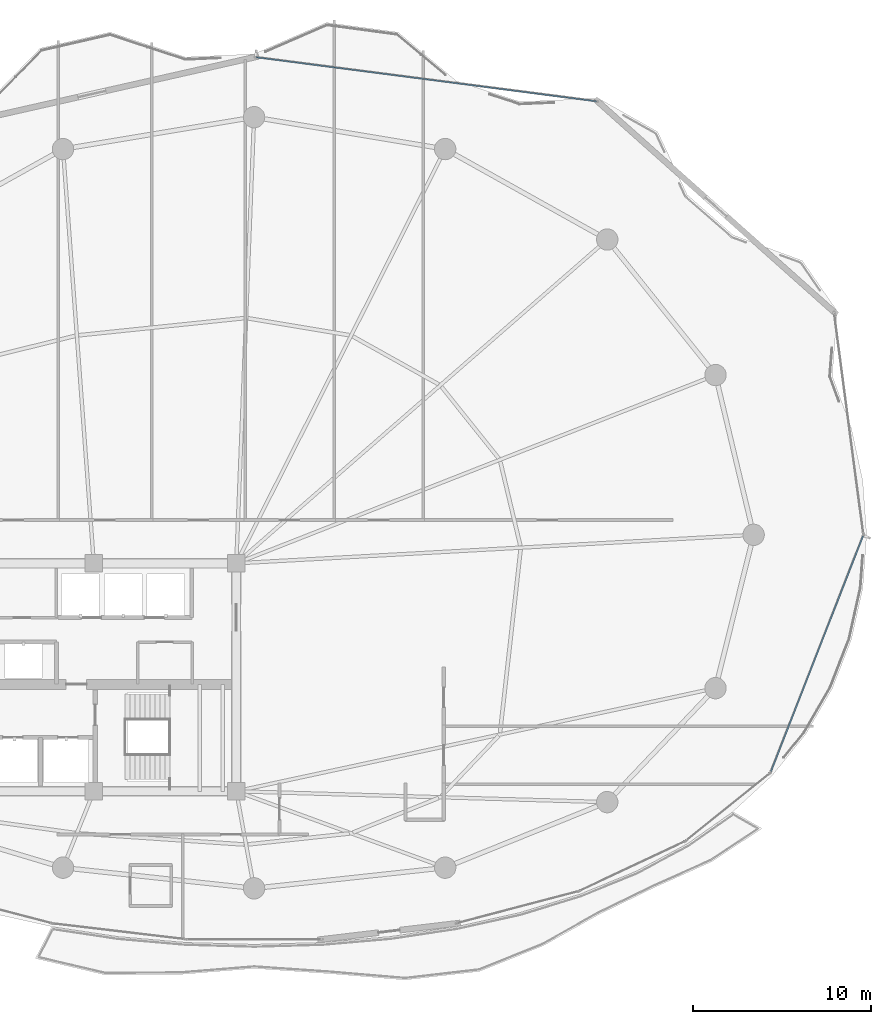
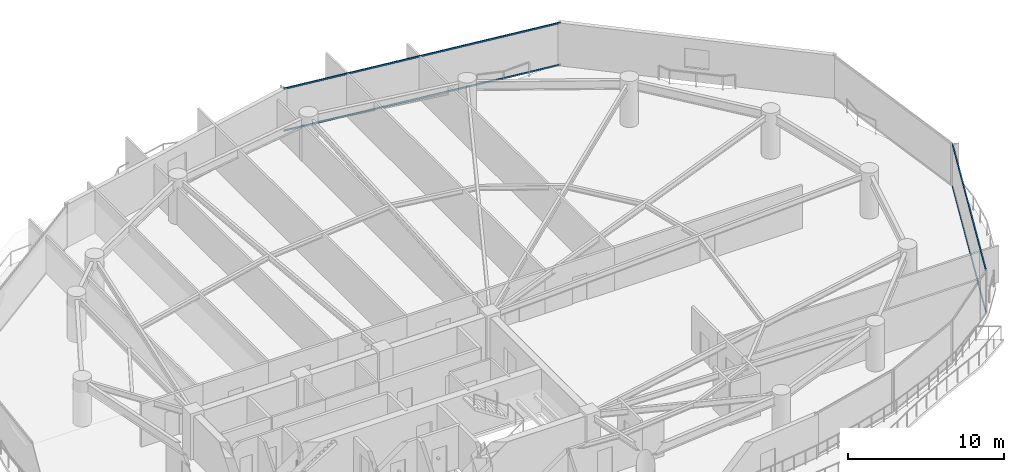
# One storey, part 23 of 33: 4 members, 2 elements without a shape of their own.
"""IFC4 building model written with IfcOpenShell, lengths in metres."""

from ifc_helpers import new_model, si_unit, direction, frame, origin, origin_2d, place, context, subcontext, project, spatial, hollow_rectangle, extrude, material, layer, layer_set, material_profile, profile_set, type_object, element, aggregate, save


model = new_model("IFC4")

# Units and contexts
model_context = context("Model", 3, precision=1e-05, world=origin(), true_north=direction((0.0, 1.0)))
body_context = subcontext(model_context, "Body", "Model", "MODEL_VIEW")
ifc_project = project(units=[si_unit("LENGTHUNIT", "METRE"), si_unit("AREAUNIT", "SQUARE_METRE"), si_unit("VOLUMEUNIT", "CUBIC_METRE"), si_unit("PLANEANGLEUNIT", "RADIAN"), si_unit("MASSUNIT", "GRAM", prefix="KILO")], contexts=[model_context])

# Site, building, storey
site_placement = place(None, origin())
site = spatial("IfcSite", under=ifc_project, at=site_placement, CompositionType="ELEMENT")
building_placement = place(site_placement, origin())
building = spatial("IfcBuilding", under=site, at=building_placement, Name="Kazevale Care Tower and Concert Hall", CompositionType="ELEMENT")
storey_placement = place(building_placement, frame((0.0, 0.0, 149.39990234375)))
storey = spatial("IfcBuildingStorey", under=building, at=storey_placement, Name="L39", CompositionType="ELEMENT", Elevation=149.39990234375)

# Curtain wall, members
ifc_material_1 = material(Name="Aluminium 6063-T6 and Low-E Glass", Category="aluminium")
ifc_layer_1 = layer(ifc_material_1, 0.179931640625)
ifc_layer_set_1 = layer_set([ifc_layer_1], Name="Aluminium 6063-T6 and Low-E Glass")
curtain_wall_type_1 = type_object("IfcCurtainWallType", Name="Convex Recessed Sunroom Curtain Wall CW-3", PredefinedType="NOTDEFINED", material=ifc_layer_set_1)
curtain_wall_1_placement = place(storey_placement, origin())
curtain_wall_1 = element("IfcCurtainWall", 1, at=curtain_wall_1_placement, inside=storey, type_object=curtain_wall_type_1, Name="cw:L39:f16", PredefinedType="NOTDEFINED")
ifc_material_2 = material(Name="Aluminium 6063-T6", Category="aluminium")
ifc_material_profile_1 = material_profile(ifc_material_2, hollow_rectangle(XDim=0.074951171875, YDim=0.1201171875, WallThickness=0.00390625, at=origin_2d()), Name="ALU75x120x4")
ifc_profile_set_1 = profile_set([ifc_material_profile_1], Name="Aluminium 6063-T6")
member_type_1 = type_object("IfcMemberType", Name="CW-3 Transom ALU75x120x4", PredefinedType="USERDEFINED", material=ifc_profile_set_1)
member_1_placement = place(storey_placement, frame((45.115478515625, 64.812255859375, 0.03759765625), z_axis=(0.991735891754, -0.128296223669, 0.0), x_axis=(0.128296223669, 0.991735891754, 0.0)))
member_1 = element("IfcMember", 2, at=member_1_placement, type_object=member_type_1, Name="CW-3 transom 1.1", ObjectType="TRANSOM", PredefinedType="USERDEFINED", context=body_context, shape_type="SweptSolid", body=[
    extrude(hollow_rectangle(XDim=0.074951171875, YDim=0.1201171875, WallThickness=0.00390625, at=origin_2d()), origin(), (0.0, 0.0, 1.0), 19.265380859375),
])
member_2_placement = place(storey_placement, frame((45.115478515625, 64.812255859375, 3.322509765625), z_axis=(0.991735891754, -0.128296223669, 0.0), x_axis=(0.128296223669, 0.991735891754, 0.0)))
member_2 = element("IfcMember", 3, at=member_2_placement, type_object=member_type_1, Name="CW-3 transom 1.2", ObjectType="TRANSOM", PredefinedType="USERDEFINED", context=body_context, shape_type="SweptSolid", body=[
    extrude(hollow_rectangle(XDim=0.074951171875, YDim=0.1201171875, WallThickness=0.00390625, at=origin_2d()), origin(), (0.0, 0.0, 1.0), 19.265380859375),
])
aggregate(curtain_wall_1, [member_1, member_2])

ifc_layer_2 = layer(ifc_material_1, 0.179931640625)
ifc_layer_set_2 = layer_set([ifc_layer_2], Name="Aluminium 6063-T6 and Low-E Glass")
curtain_wall_type_2 = type_object("IfcCurtainWallType", Name="Waist & Upper Residential Curtain Wall CW-4", PredefinedType="NOTDEFINED", material=ifc_layer_set_2)
curtain_wall_2_placement = place(storey_placement, origin())
curtain_wall_2 = element("IfcCurtainWall", 4, at=curtain_wall_2_placement, inside=storey, type_object=curtain_wall_type_2, Name="cw:L39:f01", PredefinedType="NOTDEFINED")
ifc_material_profile_2 = material_profile(ifc_material_2, hollow_rectangle(XDim=0.080078125, YDim=0.139892578125, WallThickness=0.00390625, at=origin_2d()), Name="ALU80x140x4")
ifc_profile_set_2 = profile_set([ifc_material_profile_2], Name="Aluminium 6063-T6")
member_type_2 = type_object("IfcMemberType", Name="CW-4 Transom ALU80x140x4", PredefinedType="USERDEFINED", material=ifc_profile_set_2)
member_3_placement = place(storey_placement, frame((79.19091796875, 37.925537109375, 0.0400390625), z_axis=(-0.364119027629, -0.931352421868, 0.0), x_axis=(0.931352421868, -0.364119027629, 0.0)))
member_3 = element("IfcMember", 5, at=member_3_placement, type_object=member_type_2, Name="CW-4 transom 1.1", ObjectType="TRANSOM", PredefinedType="USERDEFINED", context=body_context, shape_type="SweptSolid", body=[
    extrude(hollow_rectangle(XDim=0.080078125, YDim=0.139892578125, WallThickness=0.00390625, at=origin_2d()), origin(), (0.0, 0.0, 1.0), 14.18701171875),
])
member_4_placement = place(storey_placement, frame((79.19091796875, 37.925537109375, 3.320068359375), z_axis=(-0.364119027629, -0.931352421868, 0.0), x_axis=(0.931352421868, -0.364119027629, 0.0)))
member_4 = element("IfcMember", 6, at=member_4_placement, type_object=member_type_2, Name="CW-4 transom 1.2", ObjectType="TRANSOM", PredefinedType="USERDEFINED", context=body_context, shape_type="SweptSolid", body=[
    extrude(hollow_rectangle(XDim=0.080078125, YDim=0.139892578125, WallThickness=0.00390625, at=origin_2d()), origin(), (0.0, 0.0, 1.0), 14.18701171875),
])
aggregate(curtain_wall_2, [member_3, member_4])

save(model, "model.ifc")
